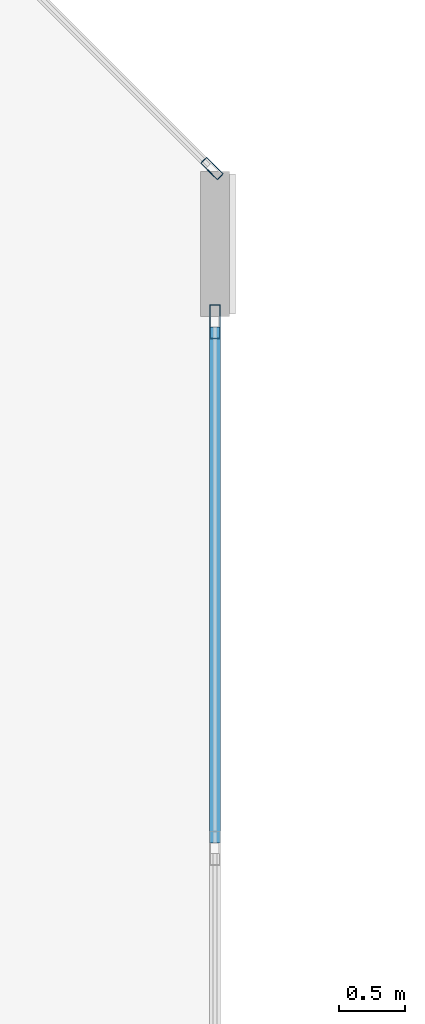
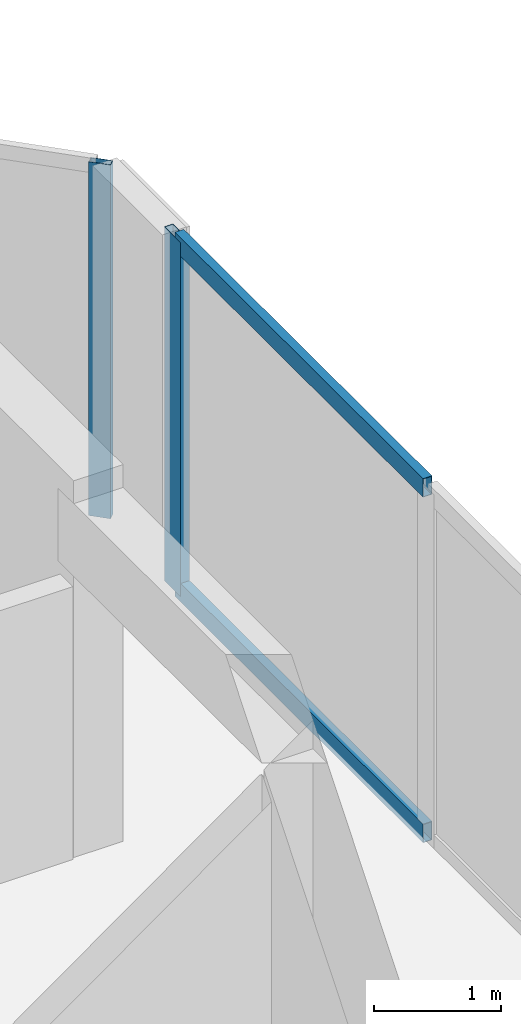
# One storey, part 8 of 28: 4 members, 2 elements without a shape of their own.
"""IFC4 building model written with IfcOpenShell, lengths in metres."""

from ifc_helpers import new_model, si_unit, direction, frame, origin, origin_2d, place, context, subcontext, project, spatial, hollow_rectangle, extrude, material, layer, layer_set, material_profile, profile_set, type_object, element, aggregate, save


model = new_model("IFC4")

# Units and contexts
model_context = context("Model", 3, precision=1e-05, world=origin(), true_north=direction((0.0, 1.0)))
body_context = subcontext(model_context, "Body", "Model", "MODEL_VIEW")
ifc_project = project(units=[si_unit("LENGTHUNIT", "METRE"), si_unit("AREAUNIT", "SQUARE_METRE"), si_unit("VOLUMEUNIT", "CUBIC_METRE"), si_unit("PLANEANGLEUNIT", "RADIAN"), si_unit("MASSUNIT", "GRAM", prefix="KILO")], contexts=[model_context])

# Site, building, storey
site_placement = place(None, origin())
site = spatial("IfcSite", under=ifc_project, at=site_placement, CompositionType="ELEMENT")
building_placement = place(site_placement, origin())
building = spatial("IfcBuilding", under=site, at=building_placement, Name="Tanjung Sevakor Pilgrim Tower", CompositionType="ELEMENT")
storey_placement = place(building_placement, frame((0.0, 0.0, 249.81005859375)))
storey = spatial("IfcBuildingStorey", under=building, at=storey_placement, Name="L70", CompositionType="ELEMENT", Elevation=249.81005859375)

# Curtain wall, member
ifc_material_1 = material(Name="Aluminium 6063-T6 and Low-E Glass", Category="aluminium")
ifc_layer_1 = layer(ifc_material_1, 0.179931640625)
ifc_layer_set_1 = layer_set([ifc_layer_1], Name="CW-SYS-CHAM")
curtain_wall_type_1 = type_object("IfcCurtainWallType", Name="CW-SYS-CHAM", PredefinedType="NOTDEFINED", material=ifc_layer_set_1)
curtain_wall_1_placement = place(storey_placement, origin())
curtain_wall_1 = element("IfcCurtainWall", 1, at=curtain_wall_1_placement, inside=storey, type_object=curtain_wall_type_1, Name="L70 Curtain Wall CW-CHM-L70-WEST-3", PredefinedType="NOTDEFINED")
ifc_material_2 = material(Name="Aluminium 6063-T6", Category="aluminium")
ifc_material_profile_1 = material_profile(ifc_material_2, hollow_rectangle(XDim=0.06494140625, YDim=0.179931640625, WallThickness=0.00390625, at=origin_2d()))
ifc_profile_set_1 = profile_set([ifc_material_profile_1], Name="Aluminium 6063-T6")
member_type_1 = type_object("IfcMemberType", Name="TYPE-CWM-1", PredefinedType="MULLION", material=ifc_profile_set_1)
member_1_placement = place(storey_placement, frame((38.317138671875, 40.77734375, 0.0), z_axis=(0.0, 0.0, 1.0), x_axis=(-0.707106781187, -0.707106781187, 0.0)))
member_1 = element("IfcMember", 2, at=member_1_placement, type_object=member_type_1, Name="CW-CHM mullion 1", PredefinedType="MULLION", context=body_context, shape_type="SweptSolid", body=[
    extrude(hollow_rectangle(XDim=0.06494140625, YDim=0.179931640625, WallThickness=0.00390625, at=origin_2d()), origin(), (0.0, 0.0, 1.0), 3.409912109375),
])
aggregate(curtain_wall_1, [member_1])

# Curtain wall, members
ifc_material_3 = material(Name="Aluminium 6063-T6 and Low-E Glass", Category="aluminium")
ifc_layer_2 = layer(ifc_material_3, 0.199951171875)
ifc_layer_set_2 = layer_set([ifc_layer_2], Name="CW-SYS-CRNW")
curtain_wall_type_2 = type_object("IfcCurtainWallType", Name="CW-SYS-CRNW", PredefinedType="NOTDEFINED", material=ifc_layer_set_2)
curtain_wall_2_placement = place(storey_placement, origin())
curtain_wall_2 = element("IfcCurtainWall", 3, at=curtain_wall_2_placement, inside=storey, type_object=curtain_wall_type_2, Name="L70 Curtain Wall CW-CRN-L70-WEST-2-1", PredefinedType="NOTDEFINED")
ifc_material_4 = material(Name="Aluminium 6063-T6", Category="aluminium")
ifc_material_profile_2 = material_profile(ifc_material_4, hollow_rectangle(XDim=0.080078125, YDim=0.260009765625, WallThickness=0.0048828125, at=origin_2d()))
ifc_profile_set_2 = profile_set([ifc_material_profile_2], Name="Aluminium 6063-T6")
member_type_2 = type_object("IfcMemberType", Name="TYPE-CWM-3", PredefinedType="MULLION", material=ifc_profile_set_2)
member_2_placement = place(storey_placement, frame((38.340087890625, 39.614501953125, 0.0), z_axis=(0.0, 0.0, 1.0), x_axis=(-1.0, 0.0, 0.0)))
member_2 = element("IfcMember", 4, at=member_2_placement, type_object=member_type_2, Name="CW-CRW mullion 4", PredefinedType="MULLION", context=body_context, shape_type="SweptSolid", body=[
    extrude(hollow_rectangle(XDim=0.080078125, YDim=0.260009765625, WallThickness=0.0048828125, at=origin_2d()), origin(), (0.0, 0.0, 1.0), 3.409912109375),
])
ifc_material_5 = material(Name="Aluminium 6063-T6", Category="aluminium")
ifc_material_profile_3 = material_profile(ifc_material_5, hollow_rectangle(XDim=0.080078125, YDim=0.179931640625, WallThickness=0.0048828125, at=origin_2d()))
ifc_profile_set_3 = profile_set([ifc_material_profile_3], Name="Aluminium 6063-T6")
member_type_3 = type_object("IfcMemberType", Name="TYPE-CWT-3", PredefinedType="USERDEFINED", material=ifc_profile_set_3)
member_3_placement = place(storey_placement, frame((38.340087890625, 35.658203125, 0.0400390625), z_axis=(0.0, 1.0, 0.0), x_axis=(-1.0, 0.0, 0.0)))
member_3 = element("IfcMember", 5, at=member_3_placement, type_object=member_type_3, Name="CW-CRW transom 3.1", ObjectType="TRANSOM", PredefinedType="USERDEFINED", context=body_context, shape_type="SweptSolid", body=[
    extrude(hollow_rectangle(XDim=0.080078125, YDim=0.179931640625, WallThickness=0.0048828125, at=origin_2d()), origin(), (0.0, 0.0, 1.0), 3.916259765625),
])
member_4_placement = place(storey_placement, frame((38.340087890625, 35.658203125, 3.369873046875), z_axis=(0.0, 1.0, 0.0), x_axis=(-1.0, 0.0, 0.0)))
member_4 = element("IfcMember", 6, at=member_4_placement, type_object=member_type_3, Name="CW-CRW transom 3.2", ObjectType="TRANSOM", PredefinedType="USERDEFINED", context=body_context, shape_type="SweptSolid", body=[
    extrude(hollow_rectangle(XDim=0.080078125, YDim=0.179931640625, WallThickness=0.0048828125, at=origin_2d()), origin(), (0.0, 0.0, 1.0), 3.916259765625),
])
aggregate(curtain_wall_2, [member_2, member_3, member_4])

save(model, "model.ifc")
